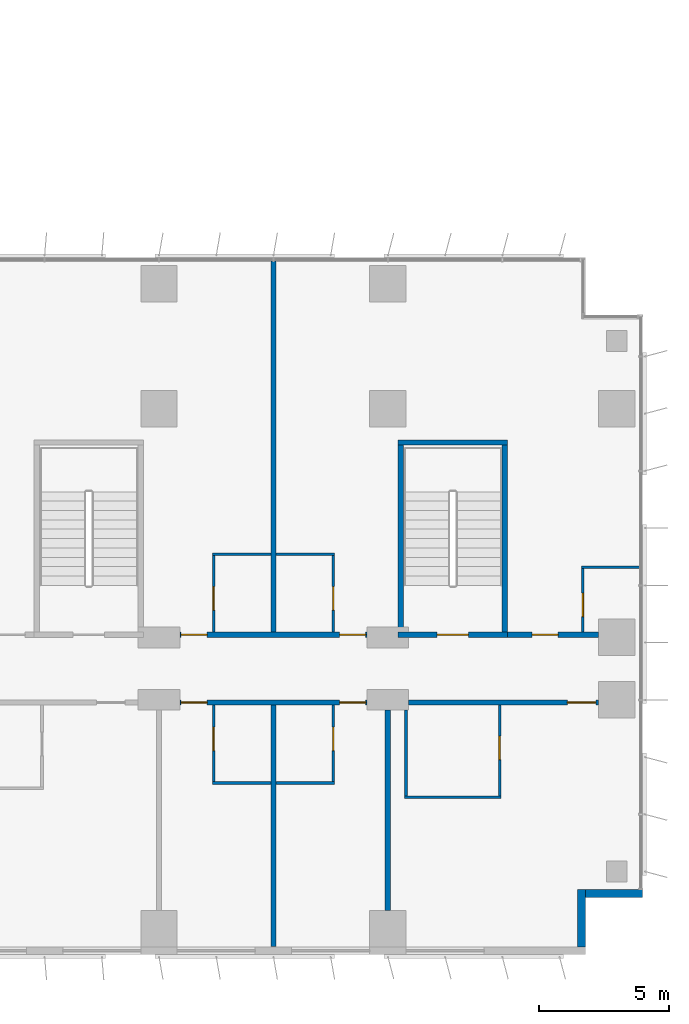
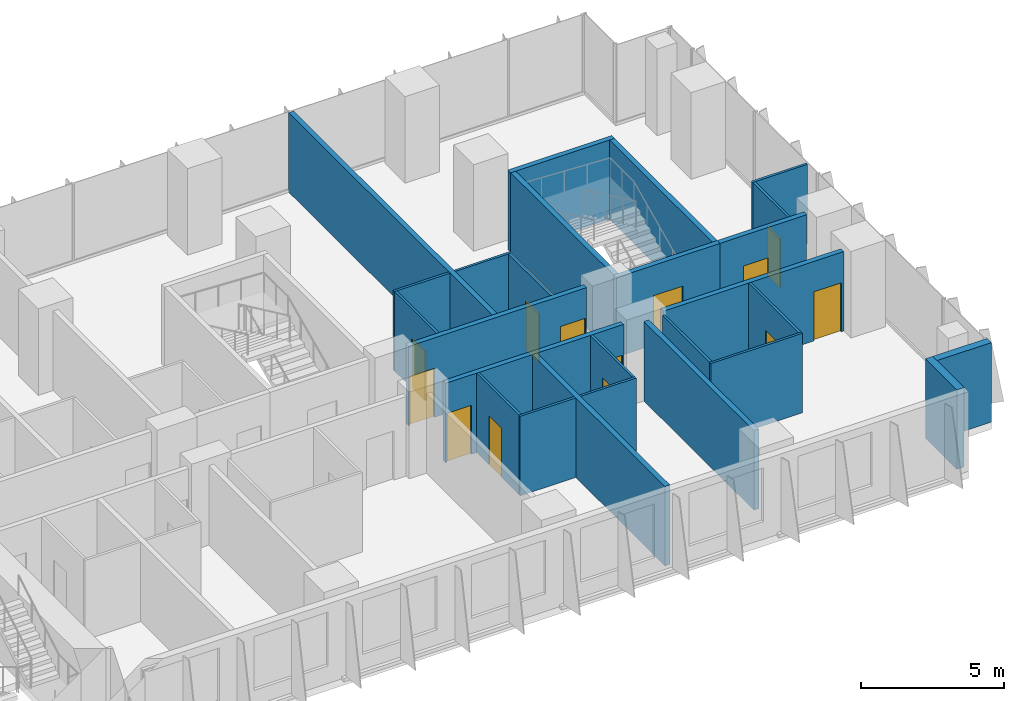
# One storey, part 18 of 24: 26 walls, 13 doors, 13 openings.
"""IFC4 building model written with IfcOpenShell, lengths in metres."""

from ifc_helpers import new_model, si_unit, direction, frame, frame_2d, origin, place, context, subcontext, project, spatial, rectangle, extrude, material, layer, layer_set, type_object, element, fill, save


model = new_model("IFC4")

# Units and contexts
model_context = context("Model", 3, precision=1e-05, world=origin(), true_north=direction((0.0, 1.0)))
body_context = subcontext(model_context, "Body", "Model", "MODEL_VIEW")
ifc_project = project(units=[si_unit("LENGTHUNIT", "METRE"), si_unit("AREAUNIT", "SQUARE_METRE"), si_unit("VOLUMEUNIT", "CUBIC_METRE"), si_unit("PLANEANGLEUNIT", "RADIAN"), si_unit("MASSUNIT", "GRAM", prefix="KILO")], contexts=[model_context])

# Site, building, storey
site_placement = place(None, origin())
site = spatial("IfcSite", under=ifc_project, at=site_placement, CompositionType="ELEMENT")
building_placement = place(site_placement, origin())
building = spatial("IfcBuilding", under=site, at=building_placement, Name="Kemantara Hotel Tower", CompositionType="ELEMENT")
storey_placement = place(building_placement, frame((0.0, 0.0, 37.699951171875)))
storey = spatial("IfcBuildingStorey", under=building, at=storey_placement, Name="L07", CompositionType="ELEMENT", Elevation=37.699951171875)

# Walls
ifc_material_1 = material(Name="Bronze anodised aluminium cladding on insulated steel stud wall", Category="steel")
ifc_layer_1 = layer(ifc_material_1, 0.300048828125)
ifc_layer_set_1 = layer_set([ifc_layer_1], Name="Bronze anodised aluminium cladding on insulated steel stud wall")
wall_type_1 = type_object("IfcWallType", Name="BRONZE METAL-CLAD EXTERNAL WALL 300", PredefinedType="STANDARD", material=ifc_layer_set_1)
for number, where, z_axis, x_axis, name in (
    (1, (78.85009765625, 0.300048828125, 0.0), (0.0, 0.0, 1.0), (0.0, 1.0, 0.0), "EXTERNAL WALL L07 T1-R02"),
    (2, (79.0, 2.35009765625, 0.0), (0.0, 0.0, 1.0), (1.0, 0.0, 0.0), "EXTERNAL WALL L07 T1-R03"),
):
    element("IfcWall", number, at=place(storey_placement, frame(where, z_axis=z_axis, x_axis=x_axis)), inside=storey, type_object=wall_type_1, Name=name, PredefinedType="STANDARD", context=body_context, shape_type="SweptSolid", body=[
        extrude(rectangle(XDim=2.199951171875, YDim=0.300048828125, at=frame_2d((1.10009765625, 0.0))), origin(), (0.0, 0.0, 1.0), 3.400146484375),
    ])

# Wall, openings, doors
ifc_material_2 = material(Name="Gypsum board partition, steel studs and mineral wool, 200 mm", Category="steel")
ifc_layer_2 = layer(ifc_material_2, 0.199951171875)
ifc_layer_set_2 = layer_set([ifc_layer_2], Name="Gypsum board partition, steel studs and mineral wool, 200 mm")
wall_type_2 = type_object("IfcWallType", Name="CORRIDOR WALL 200", PredefinedType="PARTITIONING", material=ifc_layer_set_2)
wall_1_placement = place(storey_placement, frame((70.599853515625, 9.699951171875, 0.0), z_axis=(0.0, 0.0, 1.0), x_axis=(-1.0, 0.0, 0.0)))
wall_1 = element("IfcWall", 3, at=wall_1_placement, inside=storey, type_object=wall_type_2, Name="CORRIDOR WALL 200 003", PredefinedType="PARTITIONING", context=body_context, shape_type="SweptSolid", body=[
    extrude(rectangle(XDim=7.19970703125, YDim=0.199951171875, at=frame_2d((3.599853515625, 0.0))), origin(), (0.0, 0.0, 1.0), 3.400146484375),
])
opening_1_placement = place(wall_1_placement, frame((6.14990234375, 0.0, 0.0)))
opening_1 = element("IfcOpeningElement", 4, at=opening_1_placement, cuts=wall_1, Name="Opening F01-007", PredefinedType="OPENING", context=body_context, shape_type="SweptSolid", body=[
    extrude(rectangle(XDim=1.0, YDim=2.10009765625, at=frame_2d((0.5, 1.050048828125))), frame((0.0, 0.10986328125, 0.0), z_axis=(0.0, -1.0, 0.0), x_axis=(1.0, 0.0, 0.0)), (0.0, 0.0, 1.0), 0.219970703125),
])
opening_2_placement = place(wall_1_placement, frame((0.0498046875, 0.0, 0.0)))
opening_2 = element("IfcOpeningElement", 5, at=opening_2_placement, cuts=wall_1, Name="Opening F01-009", PredefinedType="OPENING", context=body_context, shape_type="SweptSolid", body=[
    extrude(rectangle(XDim=1.0, YDim=2.10009765625, at=frame_2d((0.5, 1.050048828125))), frame((0.0, 0.10986328125, 0.0), z_axis=(0.0, -1.0, 0.0), x_axis=(1.0, 0.0, 0.0)), (0.0, 0.0, 1.0), 0.219970703125),
])
ifc_material_3 = material(Name="Hardwood veneer door leaf with steel frame", Category="steel")
door_type_1 = type_object("IfcDoorType", Name="GUEST ROOM DOOR 1000 X 2100 FD30S", OperationType="NOTDEFINED", PredefinedType="DOOR", material=ifc_material_3)
door_1_placement = place(opening_1_placement, origin())
door_1 = element("IfcDoor", 6, at=door_1_placement, inside=storey, type_object=door_type_1, Name="GUEST ROOM DOOR F01-007", OperationType="SINGLE_SWING_RIGHT", OverallHeight=2.10009765625, OverallWidth=1.0, PredefinedType="DOOR", context=body_context, shape_type="SweptSolid", body=[
    extrude(rectangle(XDim=1.0, YDim=2.10009765625, at=frame_2d((0.5, 1.050048828125))), frame((0.0, 0.02490234375, 0.0), z_axis=(0.0, -1.0, 0.0), x_axis=(1.0, 0.0, 0.0)), (0.0, 0.0, 1.0), 0.050048828125),
])
fill(opening_1, door_1)
door_2_placement = place(opening_2_placement, origin())
door_2 = element("IfcDoor", 7, at=door_2_placement, inside=storey, type_object=door_type_1, Name="GUEST ROOM DOOR F01-009", OperationType="SINGLE_SWING_LEFT", OverallHeight=2.10009765625, OverallWidth=1.0, PredefinedType="DOOR", context=body_context, shape_type="SweptSolid", body=[
    extrude(rectangle(XDim=1.0, YDim=2.10009765625, at=frame_2d((0.5, 1.050048828125))), frame((0.0, 0.02490234375, 0.0), z_axis=(0.0, -1.0, 0.0), x_axis=(1.0, 0.0, 0.0)), (0.0, 0.0, 1.0), 0.050048828125),
])
fill(opening_2, door_2)

# Wall, opening, door
wall_2_placement = place(storey_placement, frame((79.5, 9.699951171875, 0.0), z_axis=(0.0, 0.0, 1.0), x_axis=(-1.0, 0.0, 0.0)))
wall_2 = element("IfcWall", 8, at=wall_2_placement, inside=storey, type_object=wall_type_2, Name="CORRIDOR WALL 200 004", PredefinedType="PARTITIONING", context=body_context, shape_type="SweptSolid", body=[
    extrude(rectangle(XDim=7.2998046875, YDim=0.199951171875, at=frame_2d((3.64990234375, 0.0))), origin(), (0.0, 0.0, 1.0), 3.400146484375),
])
opening_3_placement = place(wall_2_placement, frame((0.099853515625, 0.0, 0.0)))
opening_3 = element("IfcOpeningElement", 9, at=opening_3_placement, cuts=wall_2, Name="Opening F01-011", PredefinedType="OPENING", context=body_context, shape_type="SweptSolid", body=[
    extrude(rectangle(XDim=1.10009765625, YDim=2.10009765625, at=frame_2d((0.550048828125, 1.050048828125))), frame((0.0, 0.10986328125, 0.0), z_axis=(0.0, -1.0, 0.0), x_axis=(1.0, 0.0, 0.0)), (0.0, 0.0, 1.0), 0.219970703125),
])
door_type_2 = type_object("IfcDoorType", Name="SUITE ENTRANCE DOOR 1100 X 2100 FD30S", OperationType="NOTDEFINED", PredefinedType="DOOR", material=ifc_material_3)
door_3_placement = place(opening_3_placement, origin())
door_3 = element("IfcDoor", 10, at=door_3_placement, inside=storey, type_object=door_type_2, Name="SUITE ENTRANCE DOOR F01-011", OperationType="SINGLE_SWING_LEFT", OverallHeight=2.10009765625, OverallWidth=1.10009765625, PredefinedType="DOOR", context=body_context, shape_type="SweptSolid", body=[
    extrude(rectangle(XDim=1.10009765625, YDim=2.10009765625, at=frame_2d((0.550048828125, 1.050048828125))), frame((0.0, 0.02490234375, 0.0), z_axis=(0.0, -1.0, 0.0), x_axis=(1.0, 0.0, 0.0)), (0.0, 0.0, 1.0), 0.050048828125),
])
fill(opening_3, door_3)

# Wall, openings, doors
wall_3_placement = place(storey_placement, frame((63.400146484375, 12.300048828125, 0.0), z_axis=(0.0, 0.0, 1.0), x_axis=(1.0, 0.0, 0.0)))
wall_3 = element("IfcWall", 11, at=wall_3_placement, inside=storey, type_object=wall_type_2, Name="CORRIDOR WALL 200 019", PredefinedType="PARTITIONING", context=body_context, shape_type="SweptSolid", body=[
    extrude(rectangle(XDim=7.19970703125, YDim=0.199951171875, at=frame_2d((3.599853515625, 0.0))), origin(), (0.0, 0.0, 1.0), 3.400146484375),
])
opening_4_placement = place(wall_3_placement, frame((0.0498046875, 0.0, 0.0)))
opening_4 = element("IfcOpeningElement", 12, at=opening_4_placement, cuts=wall_3, Name="Opening F01-027", PredefinedType="OPENING", context=body_context, shape_type="SweptSolid", body=[
    extrude(rectangle(XDim=1.0, YDim=2.10009765625, at=frame_2d((0.5, 1.050048828125))), frame((0.0, 0.10986328125, 0.0), z_axis=(0.0, -1.0, 0.0), x_axis=(1.0, 0.0, 0.0)), (0.0, 0.0, 1.0), 0.219970703125),
])
opening_5_placement = place(wall_3_placement, frame((6.14990234375, 0.0, 0.0)))
opening_5 = element("IfcOpeningElement", 13, at=opening_5_placement, cuts=wall_3, Name="Opening F01-029", PredefinedType="OPENING", context=body_context, shape_type="SweptSolid", body=[
    extrude(rectangle(XDim=1.0, YDim=2.10009765625, at=frame_2d((0.5, 1.050048828125))), frame((0.0, 0.10986328125, 0.0), z_axis=(0.0, -1.0, 0.0), x_axis=(1.0, 0.0, 0.0)), (0.0, 0.0, 1.0), 0.219970703125),
])
door_4_placement = place(opening_4_placement, origin())
door_4 = element("IfcDoor", 14, at=door_4_placement, inside=storey, type_object=door_type_1, Name="GUEST ROOM DOOR F01-027", OperationType="SINGLE_SWING_LEFT", OverallHeight=2.10009765625, OverallWidth=1.0, PredefinedType="DOOR", context=body_context, shape_type="SweptSolid", body=[
    extrude(rectangle(XDim=1.0, YDim=2.10009765625, at=frame_2d((0.5, 1.050048828125))), frame((0.0, 0.02490234375, 0.0), z_axis=(0.0, -1.0, 0.0), x_axis=(1.0, 0.0, 0.0)), (0.0, 0.0, 1.0), 0.050048828125),
])
fill(opening_4, door_4)
door_5_placement = place(opening_5_placement, origin())
door_5 = element("IfcDoor", 15, at=door_5_placement, inside=storey, type_object=door_type_1, Name="GUEST ROOM DOOR F01-029", OperationType="SINGLE_SWING_RIGHT", OverallHeight=2.10009765625, OverallWidth=1.0, PredefinedType="DOOR", context=body_context, shape_type="SweptSolid", body=[
    extrude(rectangle(XDim=1.0, YDim=2.10009765625, at=frame_2d((0.5, 1.050048828125))), frame((0.0, 0.02490234375, 0.0), z_axis=(0.0, -1.0, 0.0), x_axis=(1.0, 0.0, 0.0)), (0.0, 0.0, 1.0), 0.050048828125),
])
fill(opening_5, door_5)

# Wall, opening, door
wall_4_placement = place(storey_placement, frame((76.0, 12.300048828125, 0.0), z_axis=(0.0, 0.0, 1.0), x_axis=(1.0, 0.0, 0.0)))
wall_4 = element("IfcWall", 16, at=wall_4_placement, inside=storey, type_object=wall_type_2, Name="CORRIDOR WALL 200 020", PredefinedType="PARTITIONING", context=body_context, shape_type="SweptSolid", body=[
    extrude(rectangle(XDim=3.5, YDim=0.199951171875, at=frame_2d((1.75, 0.0))), origin(), (0.0, 0.0, 1.0), 3.400146484375),
])
opening_6_placement = place(wall_4_placement, frame((0.949951171875, 0.0, 0.0)))
opening_6 = element("IfcOpeningElement", 17, at=opening_6_placement, cuts=wall_4, Name="Opening F01-031", PredefinedType="OPENING", context=body_context, shape_type="SweptSolid", body=[
    extrude(rectangle(XDim=1.0, YDim=2.10009765625, at=frame_2d((0.5, 1.050048828125))), frame((0.0, 0.10986328125, 0.0), z_axis=(0.0, -1.0, 0.0), x_axis=(1.0, 0.0, 0.0)), (0.0, 0.0, 1.0), 0.219970703125),
])
door_6_placement = place(opening_6_placement, origin())
door_6 = element("IfcDoor", 18, at=door_6_placement, inside=storey, type_object=door_type_1, Name="GUEST ROOM DOOR F01-031", OperationType="SINGLE_SWING_LEFT", OverallHeight=2.10009765625, OverallWidth=1.0, PredefinedType="DOOR", context=body_context, shape_type="SweptSolid", body=[
    extrude(rectangle(XDim=1.0, YDim=2.10009765625, at=frame_2d((0.5, 1.050048828125))), frame((0.0, 0.02490234375, 0.0), z_axis=(0.0, -1.0, 0.0), x_axis=(1.0, 0.0, 0.0)), (0.0, 0.0, 1.0), 0.050048828125),
])
fill(opening_6, door_6)

ifc_material_4 = material(Name="Concrete fc 40 MPa", Category="concrete")
ifc_layer_3 = layer(ifc_material_4, 0.199951171875)
ifc_layer_set_3 = layer_set([ifc_layer_3], Name="Concrete fc 40 MPa")
wall_type_3 = type_object("IfcWallType", Name="Concrete stair wall 200 mm", PredefinedType="SHEAR", material=ifc_layer_set_3)
wall_5_placement = place(storey_placement, frame((71.800048828125, 12.300048828125, 0.0), z_axis=(0.0, 0.0, 1.0), x_axis=(1.0, 0.0, 0.0)))
wall_5 = element("IfcWall", 19, at=wall_5_placement, inside=storey, type_object=wall_type_3, Name="Stair ST5 enclosure wall with door", PredefinedType="SHEAR", context=body_context, shape_type="SweptSolid", body=[
    extrude(rectangle(XDim=4.199951171875, YDim=0.199951171875, at=frame_2d((2.10009765625, 0.0))), origin(), (0.0, 0.0, 1.0), 3.400146484375),
])
opening_7_placement = place(wall_5_placement, frame((1.5, 0.0, 0.0)))
opening_7 = element("IfcOpeningElement", 20, at=opening_7_placement, cuts=wall_5, Name="Opening ST5-C", PredefinedType="OPENING", context=body_context, shape_type="SweptSolid", body=[
    extrude(rectangle(XDim=1.199951171875, YDim=2.10009765625, at=frame_2d((0.60009765625, 1.050048828125))), frame((0.0, 0.10986328125, 0.0), z_axis=(0.0, -1.0, 0.0), x_axis=(1.0, 0.0, 0.0)), (0.0, 0.0, 1.0), 0.219970703125),
])
ifc_material_5 = material(Name="Steel fire door", Category="steel")
door_type_3 = type_object("IfcDoorType", Name="Fire door FD90 1200 x 2100", OperationType="NOTDEFINED", PredefinedType="DOOR", material=ifc_material_5)
door_7_placement = place(opening_7_placement, origin())
door_7 = element("IfcDoor", 21, at=door_7_placement, inside=storey, type_object=door_type_3, Name="Stair ST5 door", OperationType="SINGLE_SWING_RIGHT", OverallHeight=2.10009765625, OverallWidth=1.199951171875, PredefinedType="DOOR", context=body_context, shape_type="SweptSolid", body=[
    extrude(rectangle(XDim=1.199951171875, YDim=2.10009765625, at=frame_2d((0.60009765625, 1.050048828125))), frame((0.0, 0.02490234375, 0.0), z_axis=(0.0, -1.0, 0.0), x_axis=(1.0, 0.0, 0.0)), (0.0, 0.0, 1.0), 0.050048828125),
])
fill(opening_7, door_7)

# Walls
wall_6_placement = place(storey_placement, frame((71.800048828125, 19.699951171875, 0.0), z_axis=(0.0, 0.0, 1.0), x_axis=(1.0, 0.0, 0.0)))
element("IfcWall", 22, at=wall_6_placement, inside=storey, type_object=wall_type_3, Name="Stair ST5 enclosure wall N", PredefinedType="SHEAR", context=body_context, shape_type="SweptSolid", body=[
    extrude(rectangle(XDim=4.199951171875, YDim=0.199951171875, at=frame_2d((2.10009765625, 0.0))), origin(), (0.0, 0.0, 1.0), 3.400146484375),
])
for number, where, z_axis, x_axis, name in (
    (23, (71.89990234375, 12.39990234375, 0.0), (0.0, 0.0, 1.0), (0.0, 1.0, 0.0), "Stair ST5 enclosure wall W"),
    (24, (75.89990234375, 12.39990234375, 0.0), (0.0, 0.0, 1.0), (0.0, 1.0, 0.0), "Stair ST5 enclosure wall E"),
):
    element("IfcWall", number, at=place(storey_placement, frame(where, z_axis=z_axis, x_axis=x_axis)), inside=storey, type_object=wall_type_3, Name=name, PredefinedType="SHEAR", context=body_context, shape_type="SweptSolid", body=[
        extrude(rectangle(XDim=7.2001953125, YDim=0.199951171875, at=frame_2d((3.60009765625, 0.0))), origin(), (0.0, 0.0, 1.0), 3.400146484375),
    ])
ifc_layer_4 = layer(ifc_material_2, 0.199951171875)
ifc_layer_set_4 = layer_set([ifc_layer_4], Name="Gypsum board partition, steel studs and mineral wool, 200 mm")
wall_type_4 = type_object("IfcWallType", Name="GUEST ROOM PARTY WALL 200", PredefinedType="PARTITIONING", material=ifc_layer_set_4)
wall_7_placement = place(storey_placement, frame((67.0, 0.31005859375, 0.0), z_axis=(0.0, 0.0, 1.0), x_axis=(0.0, 1.0, 0.0)))
element("IfcWall", 25, at=wall_7_placement, inside=storey, type_object=wall_type_4, Name="GUEST ROOM PARTY WALL 200 011", PredefinedType="PARTITIONING", context=body_context, shape_type="SweptSolid", body=[
    extrude(rectangle(XDim=9.2900390625, YDim=0.199951171875, at=frame_2d((4.64501953125, 0.0))), origin(), (0.0, 0.0, 1.0), 3.400146484375),
])
wall_8_placement = place(storey_placement, frame((67.0, 12.39990234375, 0.0), z_axis=(0.0, 0.0, 1.0), x_axis=(0.0, 1.0, 0.0)))
element("IfcWall", 26, at=wall_8_placement, inside=storey, type_object=wall_type_4, Name="GUEST ROOM PARTY WALL 200 012", PredefinedType="PARTITIONING", context=body_context, shape_type="SweptSolid", body=[
    extrude(rectangle(XDim=14.27001953125, YDim=0.199951171875, at=frame_2d((7.135009765625, 0.0))), origin(), (0.0, 0.0, 1.0), 3.400146484375),
])
wall_9_placement = place(storey_placement, frame((71.39990234375, 1.7001953125, 0.0), z_axis=(0.0, 0.0, 1.0), x_axis=(0.0, 1.0, 0.0)))
element("IfcWall", 27, at=wall_9_placement, inside=storey, type_object=wall_type_4, Name="GUEST ROOM PARTY WALL 200 013", PredefinedType="PARTITIONING", context=body_context, shape_type="SweptSolid", body=[
    extrude(rectangle(XDim=7.69970703125, YDim=0.199951171875, at=frame_2d((3.849853515625, 0.0))), origin(), (0.0, 0.0, 1.0), 3.400146484375),
])
ifc_material_6 = material(Name="Gypsum board partition on steel studs, 100 mm", Category="steel")
ifc_layer_5 = layer(ifc_material_6, 0.10009765625)
ifc_layer_set_5 = layer_set([ifc_layer_5], Name="Gypsum board partition on steel studs, 100 mm")
wall_type_5 = type_object("IfcWallType", Name="ROOM PARTITION 100", PredefinedType="PARTITIONING", material=ifc_layer_set_5)
for number, where, z_axis, x_axis, name in (
    (28, (64.64990234375, 6.60009765625, 0.0), (0.0, 0.0, 1.0), (1.0, 0.0, 0.0), "ROOM PARTITION 100 073"),
    (29, (67.10009765625, 6.60009765625, 0.0), (0.0, 0.0, 1.0), (1.0, 0.0, 0.0), "ROOM PARTITION 100 074"),
):
    element("IfcWall", number, at=place(storey_placement, frame(where, z_axis=z_axis, x_axis=x_axis)), inside=storey, type_object=wall_type_5, Name=name, PredefinedType="PARTITIONING", context=body_context, shape_type="SweptSolid", body=[
        extrude(rectangle(XDim=2.25, YDim=0.10009765625, at=frame_2d((1.125, 0.0))), origin(), (0.0, 0.0, 1.0), 3.400146484375),
    ])

# Wall, opening, door
wall_10_placement = place(storey_placement, frame((64.699951171875, 9.60009765625, 0.0), z_axis=(0.0, 0.0, 1.0), x_axis=(0.0, -1.0, 0.0)))
wall_10 = element("IfcWall", 30, at=wall_10_placement, inside=storey, type_object=wall_type_5, Name="ROOM PARTITION 100 082", PredefinedType="PARTITIONING", context=body_context, shape_type="SweptSolid", body=[
    extrude(rectangle(XDim=2.9501953125, YDim=0.10009765625, at=frame_2d((1.47509765625, 0.0))), origin(), (0.0, 0.0, 1.0), 3.400146484375),
])
opening_8_placement = place(wall_10_placement, frame((0.85009765625, 0.0, 0.0)))
opening_8 = element("IfcOpeningElement", 31, at=opening_8_placement, cuts=wall_10, Name="Opening F01-008", PredefinedType="OPENING", context=body_context, shape_type="SweptSolid", body=[
    extrude(rectangle(XDim=0.89990234375, YDim=2.10009765625, at=frame_2d((0.449951171875, 1.050048828125))), frame((0.0, 0.06005859375, 0.0), z_axis=(0.0, -1.0, 0.0), x_axis=(1.0, 0.0, 0.0)), (0.0, 0.0, 1.0), 0.1201171875),
])
door_type_4 = type_object("IfcDoorType", Name="BATHROOM DOOR 900 X 2100", OperationType="NOTDEFINED", PredefinedType="DOOR", material=ifc_material_3)
door_8_placement = place(opening_8_placement, origin())
door_8 = element("IfcDoor", 32, at=door_8_placement, inside=storey, type_object=door_type_4, Name="BATHROOM DOOR F01-008", OperationType="SINGLE_SWING_LEFT", OverallHeight=2.10009765625, OverallWidth=0.89990234375, PredefinedType="DOOR", context=body_context, shape_type="SweptSolid", body=[
    extrude(rectangle(XDim=0.89990234375, YDim=2.10009765625, at=frame_2d((0.449951171875, 1.050048828125))), frame((0.0, 0.02490234375, 0.0), z_axis=(0.0, -1.0, 0.0), x_axis=(1.0, 0.0, 0.0)), (0.0, 0.0, 1.0), 0.050048828125),
])
fill(opening_8, door_8)

wall_11_placement = place(storey_placement, frame((64.699951171875, 15.35009765625, 0.0), z_axis=(0.0, 0.0, 1.0), x_axis=(0.0, -1.0, 0.0)))
wall_11 = element("IfcWall", 33, at=wall_11_placement, inside=storey, type_object=wall_type_5, Name="ROOM PARTITION 100 083", PredefinedType="PARTITIONING", context=body_context, shape_type="SweptSolid", body=[
    extrude(rectangle(XDim=2.9501953125, YDim=0.10009765625, at=frame_2d((1.47509765625, 0.0))), origin(), (0.0, 0.0, 1.0), 3.400146484375),
])
opening_9_placement = place(wall_11_placement, frame((1.199951171875, 0.0, 0.0)))
opening_9 = element("IfcOpeningElement", 34, at=opening_9_placement, cuts=wall_11, Name="Opening F01-028", PredefinedType="OPENING", context=body_context, shape_type="SweptSolid", body=[
    extrude(rectangle(XDim=0.89990234375, YDim=2.10009765625, at=frame_2d((0.449951171875, 1.050048828125))), frame((0.0, 0.06005859375, 0.0), z_axis=(0.0, -1.0, 0.0), x_axis=(1.0, 0.0, 0.0)), (0.0, 0.0, 1.0), 0.1201171875),
])
door_9_placement = place(opening_9_placement, origin())
door_9 = element("IfcDoor", 35, at=door_9_placement, inside=storey, type_object=door_type_4, Name="BATHROOM DOOR F01-028", OperationType="SINGLE_SWING_RIGHT", OverallHeight=2.10009765625, OverallWidth=0.89990234375, PredefinedType="DOOR", context=body_context, shape_type="SweptSolid", body=[
    extrude(rectangle(XDim=0.89990234375, YDim=2.10009765625, at=frame_2d((0.449951171875, 1.050048828125))), frame((0.0, 0.02490234375, 0.0), z_axis=(0.0, -1.0, 0.0), x_axis=(1.0, 0.0, 0.0)), (0.0, 0.0, 1.0), 0.050048828125),
])
fill(opening_9, door_9)

wall_12_placement = place(storey_placement, frame((69.300048828125, 6.64990234375, 0.0), z_axis=(0.0, 0.0, 1.0), x_axis=(0.0, 1.0, 0.0)))
wall_12 = element("IfcWall", 36, at=wall_12_placement, inside=storey, type_object=wall_type_5, Name="ROOM PARTITION 100 084", PredefinedType="PARTITIONING", context=body_context, shape_type="SweptSolid", body=[
    extrude(rectangle(XDim=2.9501953125, YDim=0.10009765625, at=frame_2d((1.47509765625, 0.0))), origin(), (0.0, 0.0, 1.0), 3.400146484375),
])
opening_10_placement = place(wall_12_placement, frame((1.199951171875, 0.0, 0.0)))
opening_10 = element("IfcOpeningElement", 37, at=opening_10_placement, cuts=wall_12, Name="Opening F01-010", PredefinedType="OPENING", context=body_context, shape_type="SweptSolid", body=[
    extrude(rectangle(XDim=0.89990234375, YDim=2.10009765625, at=frame_2d((0.449951171875, 1.050048828125))), frame((0.0, 0.06005859375, 0.0), z_axis=(0.0, -1.0, 0.0), x_axis=(1.0, 0.0, 0.0)), (0.0, 0.0, 1.0), 0.1201171875),
])
door_10_placement = place(opening_10_placement, origin())
door_10 = element("IfcDoor", 38, at=door_10_placement, inside=storey, type_object=door_type_4, Name="BATHROOM DOOR F01-010", OperationType="SINGLE_SWING_RIGHT", OverallHeight=2.10009765625, OverallWidth=0.89990234375, PredefinedType="DOOR", context=body_context, shape_type="SweptSolid", body=[
    extrude(rectangle(XDim=0.89990234375, YDim=2.10009765625, at=frame_2d((0.449951171875, 1.050048828125))), frame((0.0, 0.02490234375, 0.0), z_axis=(0.0, -1.0, 0.0), x_axis=(1.0, 0.0, 0.0)), (0.0, 0.0, 1.0), 0.050048828125),
])
fill(opening_10, door_10)

wall_13_placement = place(storey_placement, frame((69.300048828125, 12.39990234375, 0.0), z_axis=(0.0, 0.0, 1.0), x_axis=(0.0, 1.0, 0.0)))
wall_13 = element("IfcWall", 39, at=wall_13_placement, inside=storey, type_object=wall_type_5, Name="ROOM PARTITION 100 085", PredefinedType="PARTITIONING", context=body_context, shape_type="SweptSolid", body=[
    extrude(rectangle(XDim=2.9501953125, YDim=0.10009765625, at=frame_2d((1.47509765625, 0.0))), origin(), (0.0, 0.0, 1.0), 3.400146484375),
])
opening_11_placement = place(wall_13_placement, frame((0.85009765625, 0.0, 0.0)))
opening_11 = element("IfcOpeningElement", 40, at=opening_11_placement, cuts=wall_13, Name="Opening F01-030", PredefinedType="OPENING", context=body_context, shape_type="SweptSolid", body=[
    extrude(rectangle(XDim=0.89990234375, YDim=2.10009765625, at=frame_2d((0.449951171875, 1.050048828125))), frame((0.0, 0.06005859375, 0.0), z_axis=(0.0, -1.0, 0.0), x_axis=(1.0, 0.0, 0.0)), (0.0, 0.0, 1.0), 0.1201171875),
])
door_11_placement = place(opening_11_placement, origin())
door_11 = element("IfcDoor", 41, at=door_11_placement, inside=storey, type_object=door_type_4, Name="BATHROOM DOOR F01-030", OperationType="SINGLE_SWING_LEFT", OverallHeight=2.10009765625, OverallWidth=0.89990234375, PredefinedType="DOOR", context=body_context, shape_type="SweptSolid", body=[
    extrude(rectangle(XDim=0.89990234375, YDim=2.10009765625, at=frame_2d((0.449951171875, 1.050048828125))), frame((0.0, 0.02490234375, 0.0), z_axis=(0.0, -1.0, 0.0), x_axis=(1.0, 0.0, 0.0)), (0.0, 0.0, 1.0), 0.050048828125),
])
fill(opening_11, door_11)

# Walls
wall_14_placement = place(storey_placement, frame((72.050048828125, 6.050048828125, 0.0), z_axis=(0.0, 0.0, 1.0), x_axis=(1.0, 0.0, 0.0)))
element("IfcWall", 42, at=wall_14_placement, inside=storey, type_object=wall_type_5, Name="ROOM PARTITION 100 086", PredefinedType="PARTITIONING", context=body_context, shape_type="SweptSolid", body=[
    extrude(rectangle(XDim=3.699951171875, YDim=0.10009765625, at=frame_2d((1.85009765625, 0.0))), origin(), (0.0, 0.0, 1.0), 3.400146484375),
])
wall_15_placement = place(storey_placement, frame((72.10009765625, 6.10009765625, 0.0), z_axis=(0.0, 0.0, 1.0), x_axis=(0.0, 1.0, 0.0)))
element("IfcWall", 43, at=wall_15_placement, inside=storey, type_object=wall_type_5, Name="ROOM PARTITION 100 087", PredefinedType="PARTITIONING", context=body_context, shape_type="SweptSolid", body=[
    extrude(rectangle(XDim=3.2998046875, YDim=0.10009765625, at=frame_2d((1.64990234375, 0.0))), origin(), (0.0, 0.0, 1.0), 3.400146484375),
])

# Wall, opening, door
wall_16_placement = place(storey_placement, frame((75.699951171875, 6.10009765625, 0.0), z_axis=(0.0, 0.0, 1.0), x_axis=(0.0, 1.0, 0.0)))
wall_16 = element("IfcWall", 44, at=wall_16_placement, inside=storey, type_object=wall_type_5, Name="ROOM PARTITION 100 088", PredefinedType="PARTITIONING", context=body_context, shape_type="SweptSolid", body=[
    extrude(rectangle(XDim=3.5, YDim=0.10009765625, at=frame_2d((1.75, 0.0))), origin(), (0.0, 0.0, 1.0), 3.400146484375),
])
opening_12_placement = place(wall_16_placement, frame((1.39990234375, 0.0, 0.0)))
opening_12 = element("IfcOpeningElement", 45, at=opening_12_placement, cuts=wall_16, Name="Opening F01-012", PredefinedType="OPENING", context=body_context, shape_type="SweptSolid", body=[
    extrude(rectangle(XDim=0.89990234375, YDim=2.10009765625, at=frame_2d((0.449951171875, 1.050048828125))), frame((0.0, 0.06005859375, 0.0), z_axis=(0.0, -1.0, 0.0), x_axis=(1.0, 0.0, 0.0)), (0.0, 0.0, 1.0), 0.1201171875),
])
door_12_placement = place(opening_12_placement, origin())
door_12 = element("IfcDoor", 46, at=door_12_placement, inside=storey, type_object=door_type_4, Name="BATHROOM DOOR F01-012", OperationType="SINGLE_SWING_RIGHT", OverallHeight=2.10009765625, OverallWidth=0.89990234375, PredefinedType="DOOR", context=body_context, shape_type="SweptSolid", body=[
    extrude(rectangle(XDim=0.89990234375, YDim=2.10009765625, at=frame_2d((0.449951171875, 1.050048828125))), frame((0.0, 0.02490234375, 0.0), z_axis=(0.0, -1.0, 0.0), x_axis=(1.0, 0.0, 0.0)), (0.0, 0.0, 1.0), 0.050048828125),
])
fill(opening_12, door_12)

# Walls
for number, where, z_axis, x_axis, name in (
    (47, (64.64990234375, 15.39990234375, 0.0), (0.0, 0.0, 1.0), (1.0, 0.0, 0.0), "ROOM PARTITION 100 097"),
    (48, (67.10009765625, 15.39990234375, 0.0), (0.0, 0.0, 1.0), (1.0, 0.0, 0.0), "ROOM PARTITION 100 098"),
):
    element("IfcWall", number, at=place(storey_placement, frame(where, z_axis=z_axis, x_axis=x_axis)), inside=storey, type_object=wall_type_5, Name=name, PredefinedType="PARTITIONING", context=body_context, shape_type="SweptSolid", body=[
        extrude(rectangle(XDim=2.25, YDim=0.10009765625, at=frame_2d((1.125, 0.0))), origin(), (0.0, 0.0, 1.0), 3.400146484375),
    ])
wall_17_placement = place(storey_placement, frame((78.85009765625, 14.89990234375, 0.0), z_axis=(0.0, 0.0, 1.0), x_axis=(1.0, 0.0, 0.0)))
element("IfcWall", 49, at=wall_17_placement, inside=storey, type_object=wall_type_5, Name="ROOM PARTITION 100 103", PredefinedType="PARTITIONING", context=body_context, shape_type="SweptSolid", body=[
    extrude(rectangle(XDim=2.219970703125, YDim=0.10009765625, at=frame_2d((1.10986328125, 0.0))), origin(), (0.0, 0.0, 1.0), 3.400146484375),
])

# Wall, opening, door
wall_18_placement = place(storey_placement, frame((78.89990234375, 14.85009765625, 0.0), z_axis=(0.0, 0.0, 1.0), x_axis=(0.0, -1.0, 0.0)))
wall_18 = element("IfcWall", 50, at=wall_18_placement, inside=storey, type_object=wall_type_5, Name="ROOM PARTITION 100 104", PredefinedType="PARTITIONING", context=body_context, shape_type="SweptSolid", body=[
    extrude(rectangle(XDim=2.4501953125, YDim=0.10009765625, at=frame_2d((1.22509765625, 0.0))), origin(), (0.0, 0.0, 1.0), 3.400146484375),
])
opening_13_placement = place(wall_18_placement, frame((0.949951171875, 0.0, 0.0)))
opening_13 = element("IfcOpeningElement", 51, at=opening_13_placement, cuts=wall_18, Name="Opening F01-032", PredefinedType="OPENING", context=body_context, shape_type="SweptSolid", body=[
    extrude(rectangle(XDim=0.89990234375, YDim=2.10009765625, at=frame_2d((0.449951171875, 1.050048828125))), frame((0.0, 0.06005859375, 0.0), z_axis=(0.0, -1.0, 0.0), x_axis=(1.0, 0.0, 0.0)), (0.0, 0.0, 1.0), 0.1201171875),
])
door_13_placement = place(opening_13_placement, origin())
door_13 = element("IfcDoor", 52, at=door_13_placement, inside=storey, type_object=door_type_4, Name="BATHROOM DOOR F01-032", OperationType="SINGLE_SWING_RIGHT", OverallHeight=2.10009765625, OverallWidth=0.89990234375, PredefinedType="DOOR", context=body_context, shape_type="SweptSolid", body=[
    extrude(rectangle(XDim=0.89990234375, YDim=2.10009765625, at=frame_2d((0.449951171875, 1.050048828125))), frame((0.0, 0.02490234375, 0.0), z_axis=(0.0, -1.0, 0.0), x_axis=(1.0, 0.0, 0.0)), (0.0, 0.0, 1.0), 0.050048828125),
])
fill(opening_13, door_13)

save(model, "model.ifc")
